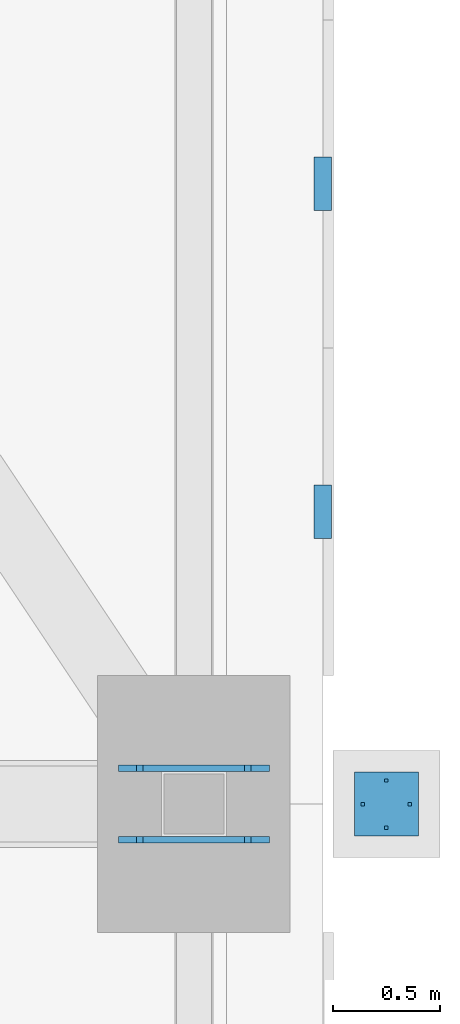
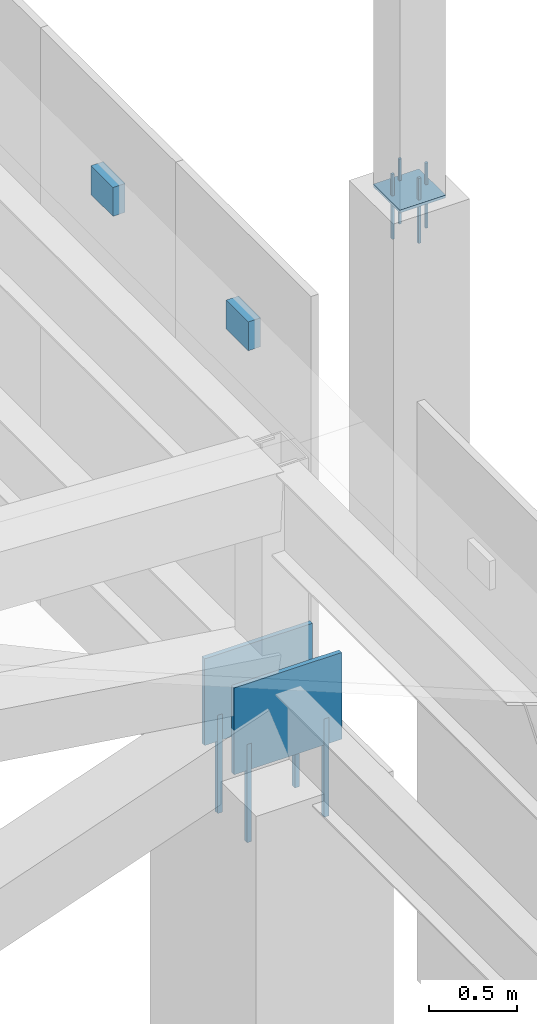
# One storey, part 254 of 278: 8 mechanical fasteners, 5 discrete accessories.
"""IFC4 building model written with IfcOpenShell, lengths in metres."""

from ifc_helpers import new_model, si_unit, direction, frame, origin, origin_2d, place, context, subcontext, project, spatial, rectangle, extrude, material, layer, layer_set, type_object, element, save


model = new_model("IFC4")

# Units and contexts
model_context = context("Model", 3, precision=1e-05, world=origin(), true_north=direction((0.0, 1.0)))
body_context = subcontext(model_context, "Body", "Model", "MODEL_VIEW")
ifc_project = project(units=[si_unit("LENGTHUNIT", "METRE"), si_unit("AREAUNIT", "SQUARE_METRE"), si_unit("VOLUMEUNIT", "CUBIC_METRE"), si_unit("PLANEANGLEUNIT", "RADIAN"), si_unit("MASSUNIT", "GRAM", prefix="KILO")], contexts=[model_context])

# Site, building, storey
site_placement = place(None, origin())
site = spatial("IfcSite", under=ifc_project, at=site_placement, CompositionType="ELEMENT")
building_placement = place(site_placement, origin())
building = spatial("IfcBuilding", under=site, at=building_placement, Name="Ogive Plaza Stadium", CompositionType="ELEMENT")
storey_placement = place(building_placement, frame((0.0, 0.0, 29.0)))
storey = spatial("IfcBuildingStorey", under=building, at=storey_placement, Name="Roof", CompositionType="ELEMENT", Elevation=29.0)

# Mechanical fasteners
ifc_material_1 = material(Name="Steel ASTM A992 Grade 50", Category="steel")
mechanical_fastener_type_1 = type_object("IfcMechanicalFastenerType", Name="Anchor bolt M30 x 600", PredefinedType="ANCHORBOLT", material=ifc_material_1)
for number, where, z_axis, x_axis, name in (
    (1, (84.25244140625, 37.66650390625, 3.0), (0.0, 0.0, 1.0), (1.0, 0.0, 0.0), "ANCHOR BOLT 02 BF 1.1"),
    (2, (83.74755859375, 37.66650390625, 3.0), (0.0, 0.0, 1.0), (1.0, 0.0, 0.0), "ANCHOR BOLT 02 BF 1.2"),
    (3, (84.25244140625, 37.33349609375, 3.0), (0.0, 0.0, 1.0), (1.0, 0.0, 0.0), "ANCHOR BOLT 02 BF 2.1"),
    (4, (83.74755859375, 37.33349609375, 3.0), (0.0, 0.0, 1.0), (1.0, 0.0, 0.0), "ANCHOR BOLT 02 BF 2.2"),
):
    element("IfcMechanicalFastener", number, at=place(storey_placement, frame(where, z_axis=z_axis, x_axis=x_axis)), inside=storey, type_object=mechanical_fastener_type_1, Name=name, PredefinedType="ANCHORBOLT", context=body_context, shape_type="SweptSolid", body=[
        extrude(rectangle(XDim=0.030029296875, YDim=0.030029296875, at=origin_2d()), origin(), (0.0, 0.0, 1.0), 0.679931640625),
    ])
ifc_material_2 = material(Name="Steel ASTM A992 Grade 50", Category="steel")
mechanical_fastener_type_2 = type_object("IfcMechanicalFastenerType", Name="Spire anchor bolt M16 x 450", PredefinedType="ANCHORBOLT", material=ifc_material_2)
for number, where, z_axis, x_axis, name in (
    (5, (85.010009765625, 37.5, 6.7001953125), (0.0, 0.0, 1.0), (1.0, 0.0, 0.0), "SPIRE ANCHOR BOLT 02 1"),
    (6, (84.7900390625, 37.5, 6.7001953125), (0.0, 0.0, 1.0), (1.0, 0.0, 0.0), "SPIRE ANCHOR BOLT 02 2"),
    (7, (84.89990234375, 37.610107421875, 6.7001953125), (0.0, 0.0, 1.0), (1.0, 0.0, 0.0), "SPIRE ANCHOR BOLT 02 3"),
    (8, (84.89990234375, 37.389892578125, 6.7001953125), (0.0, 0.0, 1.0), (1.0, 0.0, 0.0), "SPIRE ANCHOR BOLT 02 4"),
):
    element("IfcMechanicalFastener", number, at=place(storey_placement, frame(where, z_axis=z_axis, x_axis=x_axis)), inside=storey, type_object=mechanical_fastener_type_2, Name=name, PredefinedType="ANCHORBOLT", context=body_context, shape_type="SweptSolid", body=[
        extrude(rectangle(XDim=0.01611328125, YDim=0.01611328125, at=origin_2d()), origin(), (0.0, 0.0, 1.0), 0.449951171875),
    ])

# Discrete accessories
ifc_material_3 = material(Name="Steel ASTM A992 Grade 50", Category="steel")
ifc_layer_1 = layer(ifc_material_3, 0.02001953125)
ifc_layer_set_1 = layer_set([ifc_layer_1], Name="Steel ASTM A992 Grade 50")
discrete_accessory_type_1 = type_object("IfcDiscreteAccessoryType", Name="Spire seat plate 20", PredefinedType="ANCHORPLATE", material=ifc_layer_set_1)
discrete_accessory_placement = place(storey_placement, frame((84.89990234375, 37.5, 6.98095703125), z_axis=(0.0, 0.0, 1.0), x_axis=(1.0, 0.0, 0.0)))
element("IfcDiscreteAccessory", 9, at=discrete_accessory_placement, inside=storey, type_object=discrete_accessory_type_1, Name="SPIRE SEAT PLATE 02", PredefinedType="ANCHORPLATE", context=body_context, shape_type="SweptSolid", body=[
    extrude(rectangle(XDim=0.300048828125, YDim=0.300048828125, at=origin_2d()), origin(), (0.0, 0.0, 1.0), 0.02001953125),
])
ifc_material_4 = material(Name="Steel ASTM A572 Grade 50", Category="steel")
ifc_layer_2 = layer(ifc_material_4, 0.080078125)
ifc_layer_set_2 = layer_set([ifc_layer_2], Name="Steel ASTM A572 Grade 50")
discrete_accessory_type_2 = type_object("IfcDiscreteAccessoryType", Name="Tracery screen bracket 250x200", PredefinedType="BRACKET", material=ifc_layer_set_2)
for number, where, z_axis, x_axis, name in (
    (10, (84.602294921875, 40.39990234375, 5.25), (0.0, 0.0, 1.0), (0.0, -1.0, 0.0), "TRACERY SCREEN BRACKET B01 8"),
    (11, (84.602294921875, 38.86669921875, 5.25), (0.0, 0.0, 1.0), (0.0, -1.0, 0.0), "TRACERY SCREEN BRACKET B01 9"),
):
    element("IfcDiscreteAccessory", number, at=place(storey_placement, frame(where, z_axis=z_axis, x_axis=x_axis)), inside=storey, type_object=discrete_accessory_type_2, Name=name, PredefinedType="BRACKET", context=body_context, shape_type="SweptSolid", body=[
        extrude(rectangle(XDim=0.25, YDim=0.080078125, at=origin_2d()), origin(), (0.0, 0.0, 1.0), 0.199951171875),
    ])
ifc_material_5 = material(Name="Steel ASTM A992 Grade 50", Category="steel")
ifc_layer_3 = layer(ifc_material_5, 0.030029296875)
ifc_layer_set_3 = layer_set([ifc_layer_3], Name="Steel ASTM A992 Grade 50")
discrete_accessory_type_3 = type_object("IfcDiscreteAccessoryType", Name="Truss back-stay foot cleat plate 30", PredefinedType="ANCHORPLATE", material=ifc_layer_set_3)
for number, where, z_axis, x_axis, name in (
    (12, (84.0, 37.66650390625, 3.5), (0.0, 0.0, 1.0), (1.0, 0.0, 0.0), "TRUSS BACK-STAY FOOT CLEAT PLATE 02 1"),
    (13, (84.0, 37.33349609375, 3.5), (0.0, 0.0, 1.0), (1.0, 0.0, 0.0), "TRUSS BACK-STAY FOOT CLEAT PLATE 02 2"),
):
    element("IfcDiscreteAccessory", number, at=place(storey_placement, frame(where, z_axis=z_axis, x_axis=x_axis)), inside=storey, type_object=discrete_accessory_type_3, Name=name, PredefinedType="ANCHORPLATE", context=body_context, shape_type="SweptSolid", body=[
        extrude(rectangle(XDim=0.704833984375, YDim=0.030029296875, at=origin_2d()), origin(), (0.0, 0.0, 1.0), 0.60009765625),
    ])

save(model, "model.ifc")
